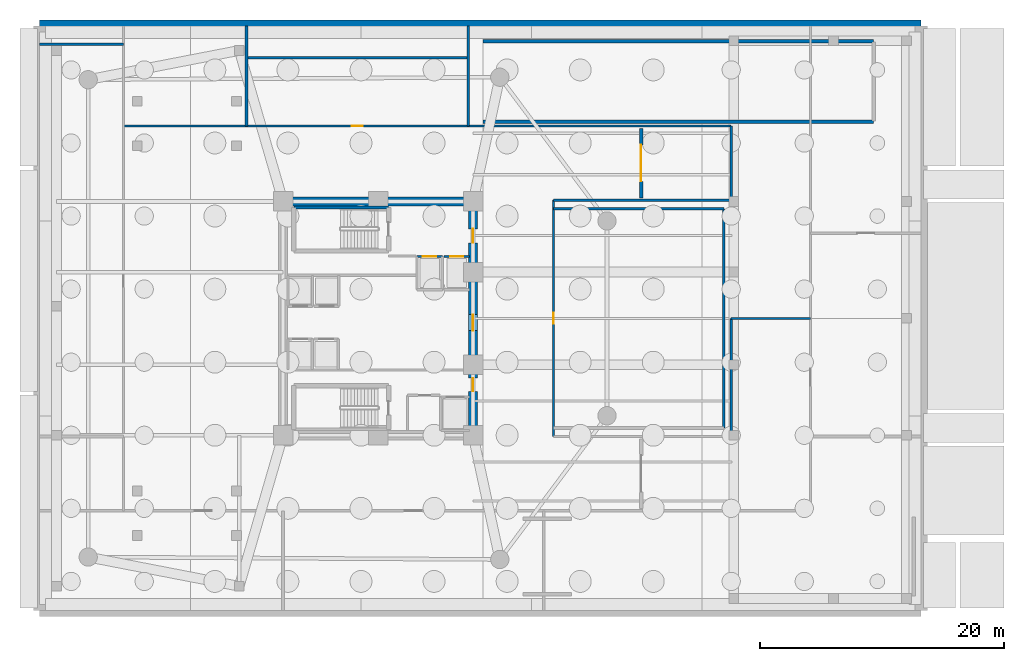
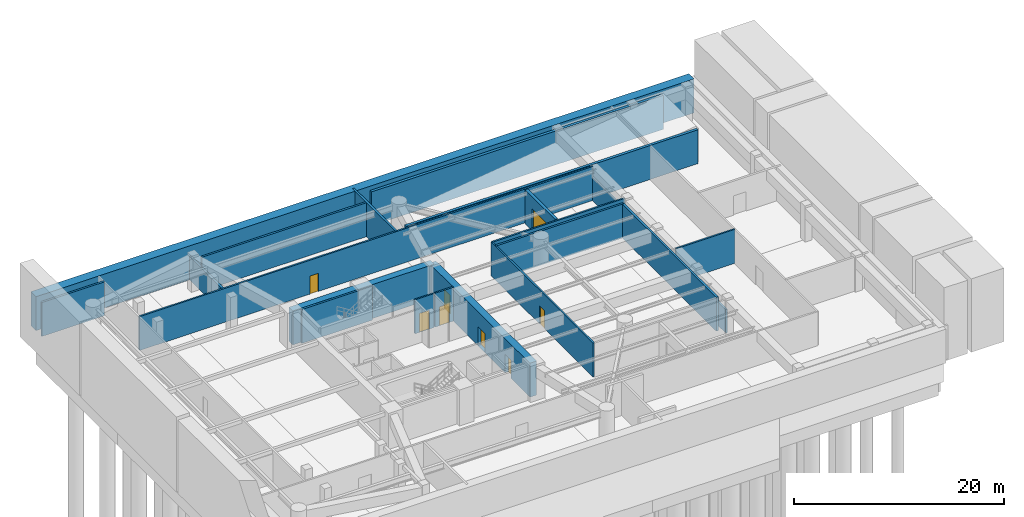
# One storey, part 5 of 8: 21 walls, 8 doors, 8 openings.
"""IFC4 building model written with IfcOpenShell, lengths in metres."""

from ifc_helpers import new_model, si_unit, direction, frame, frame_2d, origin, place, context, subcontext, project, spatial, rectangle, extrude, material, layer, layer_set, type_object, element, fill, save


model = new_model("IFC4")

# Units and contexts
model_context = context("Model", 3, precision=1e-05, world=origin(), true_north=direction((0.0, 1.0)))
body_context = subcontext(model_context, "Body", "Model", "MODEL_VIEW")
ifc_project = project(units=[si_unit("LENGTHUNIT", "METRE"), si_unit("AREAUNIT", "SQUARE_METRE"), si_unit("VOLUMEUNIT", "CUBIC_METRE"), si_unit("PLANEANGLEUNIT", "RADIAN"), si_unit("MASSUNIT", "GRAM", prefix="KILO")], contexts=[model_context])

# Site, building, storey
site_placement = place(None, origin())
site = spatial("IfcSite", under=ifc_project, at=site_placement, CompositionType="ELEMENT")
building_placement = place(site_placement, origin())
building = spatial("IfcBuilding", under=site, at=building_placement, Name="An Khanh Terracotta Commons", CompositionType="ELEMENT")
storey_placement = place(building_placement, frame((0.0, 0.0, -8.39990234375)))
storey = spatial("IfcBuildingStorey", under=building, at=storey_placement, Name="B02", CompositionType="ELEMENT", Elevation=-8.39990234375)

# Wall
ifc_material_1 = material(Name="Concrete C70/85", Category="concrete")
ifc_layer_1 = layer(ifc_material_1, 0.75, Name="Concrete C70/85")
ifc_layer_set_1 = layer_set([ifc_layer_1], Name="Concrete C70/85")
wall_type_1 = type_object("IfcWallType", Name="WALL-CORE-750", PredefinedType="SHEAR", material=ifc_layer_set_1)
wall_1_placement = place(storey_placement, frame((21.60009765625, 33.60009765625, 0.0), z_axis=(0.0, 0.0, 1.0), x_axis=(1.0, 0.0, 0.0)))
element("IfcWall", 1, at=wall_1_placement, inside=storey, type_object=wall_type_1, Name="B02 Core Wall CWALL-B02-N", PredefinedType="SHEAR", context=body_context, shape_type="SweptSolid", body=[
    extrude(rectangle(XDim=15.599853515625, YDim=0.75, at=frame_2d((7.7998046875, 0.0))), origin(), (0.0, 0.0, 1.0), 3.949951171875),
])

# Wall, openings, doors
wall_2_placement = place(storey_placement, frame((37.199951171875, 14.39990234375, 0.0), z_axis=(0.0, 0.0, 1.0), x_axis=(0.0, 1.0, 0.0)))
wall_2 = element("IfcWall", 2, at=wall_2_placement, inside=storey, type_object=wall_type_1, Name="B02 Core Wall CWALL-B02-E", PredefinedType="SHEAR", context=body_context, shape_type="SweptSolid", body=[
    extrude(rectangle(XDim=19.2001953125, YDim=0.75, at=frame_2d((9.60009765625, 0.0))), origin(), (0.0, 0.0, 1.0), 3.949951171875),
])
opening_1_placement = place(wall_2_placement, frame((15.800048828125, 0.0, 0.0)))
opening_1 = element("IfcOpeningElement", 3, at=opening_1_placement, cuts=wall_2, Name="Opening D-FFL", PredefinedType="OPENING", context=body_context, shape_type="SweptSolid", body=[
    extrude(rectangle(XDim=1.14990234375, YDim=2.14990234375, at=frame_2d((0.574951171875, 1.074951171875))), frame((0.0, 0.385009765625, 0.0), z_axis=(0.0, -1.0, 0.0), x_axis=(1.0, 0.0, 0.0)), (0.0, 0.0, 1.0), 0.77001953125),
])
opening_2_placement = place(wall_2_placement, frame((3.60009765625, 0.0, 0.0)))
opening_2 = element("IfcOpeningElement", 4, at=opening_2_placement, cuts=wall_2, Name="Opening D-ST", PredefinedType="OPENING", context=body_context, shape_type="SweptSolid", body=[
    extrude(rectangle(XDim=1.10009765625, YDim=2.14990234375, at=frame_2d((0.550048828125, 1.074951171875))), frame((0.0, 0.385009765625, 0.0), z_axis=(0.0, -1.0, 0.0), x_axis=(1.0, 0.0, 0.0)), (0.0, 0.0, 1.0), 0.77001953125),
])
opening_3_placement = place(wall_2_placement, frame((8.60009765625, 0.0, 0.0)))
opening_3 = element("IfcOpeningElement", 5, at=opening_3_placement, cuts=wall_2, Name="Opening D-COR", PredefinedType="OPENING", context=body_context, shape_type="SweptSolid", body=[
    extrude(rectangle(XDim=1.300048828125, YDim=2.199951171875, at=frame_2d((0.64990234375, 1.10009765625))), frame((0.0, 0.385009765625, 0.0), z_axis=(0.0, -1.0, 0.0), x_axis=(1.0, 0.0, 0.0)), (0.0, 0.0, 1.0), 0.77001953125),
])
ifc_material_2 = material(Name="Fire-Rated Glazed Steel Double Door", Category="steel")
door_type_1 = type_object("IfcDoorType", Name="DOOR-CORR-1300", OperationType="NOTDEFINED", PredefinedType="DOOR", material=ifc_material_2)
door_1_placement = place(opening_3_placement, origin())
door_1 = element("IfcDoor", 6, at=door_1_placement, inside=storey, type_object=door_type_1, Name="B02 Passenger Lift Lobby Double Door", OperationType="DOUBLE_DOOR_SINGLE_SWING", OverallHeight=2.199951171875, OverallWidth=1.300048828125, PredefinedType="DOOR", context=body_context, shape_type="SweptSolid", body=[
    extrude(rectangle(XDim=1.300048828125, YDim=2.199951171875, at=frame_2d((0.64990234375, 1.10009765625))), frame((0.0, 0.02490234375, 0.0), z_axis=(0.0, -1.0, 0.0), x_axis=(1.0, 0.0, 0.0)), (0.0, 0.0, 1.0), 0.050048828125),
])
fill(opening_3, door_1)
ifc_material_3 = material(Name="Fire-Rated Steel Leaf and Vision Panel", Category="steel")
door_type_2 = type_object("IfcDoorType", Name="DOOR-FFL-1150", OperationType="NOTDEFINED", PredefinedType="DOOR", material=ifc_material_3)
door_2_placement = place(opening_1_placement, origin())
door_2 = element("IfcDoor", 7, at=door_2_placement, inside=storey, type_object=door_type_2, Name="B02 Firefighting Lift Lobby Fire Door", OperationType="SINGLE_SWING_RIGHT", OverallHeight=2.14990234375, OverallWidth=1.14990234375, PredefinedType="DOOR", context=body_context, shape_type="SweptSolid", body=[
    extrude(rectangle(XDim=1.14990234375, YDim=2.14990234375, at=frame_2d((0.574951171875, 1.074951171875))), frame((0.0, 0.02490234375, 0.0), z_axis=(0.0, -1.0, 0.0), x_axis=(1.0, 0.0, 0.0)), (0.0, 0.0, 1.0), 0.050048828125),
])
fill(opening_1, door_2)
ifc_material_4 = material(Name="Fire-Rated Steel Leaf and Frame", Category="steel")
door_type_3 = type_object("IfcDoorType", Name="DOOR-STAIR-1100", OperationType="NOTDEFINED", PredefinedType="DOOR", material=ifc_material_4)
door_3_placement = place(opening_2_placement, origin())
door_3 = element("IfcDoor", 8, at=door_3_placement, inside=storey, type_object=door_type_3, Name="B02 South Stair Lobby Fire Door", OperationType="SINGLE_SWING_LEFT", OverallHeight=2.14990234375, OverallWidth=1.10009765625, PredefinedType="DOOR", context=body_context, shape_type="SweptSolid", body=[
    extrude(rectangle(XDim=1.10009765625, YDim=2.14990234375, at=frame_2d((0.550048828125, 1.074951171875))), frame((0.0, 0.02490234375, 0.0), z_axis=(0.0, -1.0, 0.0), x_axis=(1.0, 0.0, 0.0)), (0.0, 0.0, 1.0), 0.050048828125),
])
fill(opening_2, door_3)

# Wall, opening, door
ifc_material_5 = material(Name="Fire-Rated Gypsum Board on Steel Stud", Category="steel")
ifc_layer_2 = layer(ifc_material_5, 0.179931640625, Name="Fire-Rated Gypsum Board on Steel Stud")
ifc_layer_set_2 = layer_set([ifc_layer_2], Name="Fire-Rated Gypsum Board on Steel Stud")
wall_type_2 = type_object("IfcWallType", Name="WALL-CORR-180", PredefinedType="PARTITIONING", material=ifc_layer_set_2)
wall_3_placement = place(storey_placement, frame((32.60009765625, 29.080078125, 0.0), z_axis=(0.0, 0.0, 1.0), x_axis=(1.0, 0.0, 0.0)))
wall_3 = element("IfcWall", 9, at=wall_3_placement, inside=storey, type_object=wall_type_2, Name="B02 Core Wall LSH-B02-FFL-01-N", PredefinedType="PARTITIONING", context=body_context, shape_type="SweptSolid", body=[
    extrude(rectangle(XDim=2.079833984375, YDim=0.179931640625, at=frame_2d((1.0400390625, 0.0))), origin(), (0.0, 0.0, 1.0), 3.949951171875),
])
opening_4_placement = place(wall_3_placement, frame((0.489990234375, 0.0, 0.0)))
opening_4 = element("IfcOpeningElement", 10, at=opening_4_placement, cuts=wall_3, Name="Opening LD-FFL-01-B02", PredefinedType="OPENING", context=body_context, shape_type="SweptSolid", body=[
    extrude(rectangle(XDim=1.10009765625, YDim=2.199951171875, at=frame_2d((0.550048828125, 1.10009765625))), frame((0.0, 0.099853515625, 0.0), z_axis=(0.0, -1.0, 0.0), x_axis=(1.0, 0.0, 0.0)), (0.0, 0.0, 1.0), 0.199951171875),
])
ifc_material_6 = material(Name="Brushed Stainless Steel Fire Landing Door", Category="steel")
door_type_4 = type_object("IfcDoorType", Name="DOOR-LD-FFL-1100", OperationType="NOTDEFINED", PredefinedType="DOOR", material=ifc_material_6)
door_4_placement = place(opening_4_placement, origin())
door_4 = element("IfcDoor", 11, at=door_4_placement, inside=storey, type_object=door_type_4, Name="B02 Lift FFL-01 Sliding Landing Door", OperationType="DOUBLE_DOOR_SLIDING", OverallHeight=2.199951171875, OverallWidth=1.10009765625, PredefinedType="DOOR", context=body_context, shape_type="SweptSolid", body=[
    extrude(rectangle(XDim=1.10009765625, YDim=2.199951171875, at=frame_2d((0.550048828125, 1.10009765625))), frame((0.0, 0.02490234375, 0.0), z_axis=(0.0, -1.0, 0.0), x_axis=(1.0, 0.0, 0.0)), (0.0, 0.0, 1.0), 0.050048828125),
])
fill(opening_4, door_4)

wall_4_placement = place(storey_placement, frame((34.820068359375, 29.080078125, 0.0), z_axis=(0.0, 0.0, 1.0), x_axis=(1.0, 0.0, 0.0)))
wall_4 = element("IfcWall", 12, at=wall_4_placement, inside=storey, type_object=wall_type_2, Name="B02 Core Wall LSH-B02-FFL-02-N", PredefinedType="PARTITIONING", context=body_context, shape_type="SweptSolid", body=[
    extrude(rectangle(XDim=2.079833984375, YDim=0.179931640625, at=frame_2d((1.0400390625, 0.0))), origin(), (0.0, 0.0, 1.0), 3.949951171875),
])
opening_5_placement = place(wall_4_placement, frame((0.489990234375, 0.0, 0.0)))
opening_5 = element("IfcOpeningElement", 13, at=opening_5_placement, cuts=wall_4, Name="Opening LD-FFL-02-B02", PredefinedType="OPENING", context=body_context, shape_type="SweptSolid", body=[
    extrude(rectangle(XDim=1.10009765625, YDim=2.199951171875, at=frame_2d((0.550048828125, 1.10009765625))), frame((0.0, 0.099853515625, 0.0), z_axis=(0.0, -1.0, 0.0), x_axis=(1.0, 0.0, 0.0)), (0.0, 0.0, 1.0), 0.199951171875),
])
door_5_placement = place(opening_5_placement, origin())
door_5 = element("IfcDoor", 14, at=door_5_placement, inside=storey, type_object=door_type_4, Name="B02 Lift FFL-02 Sliding Landing Door", OperationType="DOUBLE_DOOR_SLIDING", OverallHeight=2.199951171875, OverallWidth=1.10009765625, PredefinedType="DOOR", context=body_context, shape_type="SweptSolid", body=[
    extrude(rectangle(XDim=1.10009765625, YDim=2.199951171875, at=frame_2d((0.550048828125, 1.10009765625))), frame((0.0, 0.02490234375, 0.0), z_axis=(0.0, -1.0, 0.0), x_axis=(1.0, 0.0, 0.0)), (0.0, 0.0, 1.0), 0.050048828125),
])
fill(opening_5, door_5)

# Walls
wall_5_placement = place(storey_placement, frame((58.39990234375, 24.0, 0.0), z_axis=(0.0, 0.0, 1.0), x_axis=(1.0, 0.0, 0.0)))
element("IfcWall", 15, at=wall_5_placement, inside=storey, type_object=wall_type_2, Name="B02 Interior Partition IW-B02-E006", PredefinedType="PARTITIONING", context=body_context, shape_type="SweptSolid", body=[
    extrude(rectangle(XDim=6.5, YDim=0.179931640625, at=frame_2d((3.25, 0.0))), origin(), (0.0, 0.0, 1.0), 3.949951171875),
])
wall_6_placement = place(storey_placement, frame((43.800048828125, 33.699951171875, 0.0), z_axis=(0.0, 0.0, 1.0), x_axis=(1.0, 0.0, 0.0)))
element("IfcWall", 16, at=wall_6_placement, inside=storey, type_object=wall_type_2, Name="B02 Interior Partition IW-B02-E009", PredefinedType="PARTITIONING", context=body_context, shape_type="SweptSolid", body=[
    extrude(rectangle(XDim=14.599853515625, YDim=0.179931640625, at=frame_2d((7.2998046875, 0.0))), origin(), (0.0, 0.0, 1.0), 3.949951171875),
])

# Wall, opening, door
wall_7_placement = place(storey_placement, frame((8.5, 39.800048828125, 0.0), z_axis=(0.0, 0.0, 1.0), x_axis=(1.0, 0.0, 0.0)))
wall_7 = element("IfcWall", 17, at=wall_7_placement, inside=storey, type_object=wall_type_2, Name="B02 Interior Partition IW-B02-E010", PredefinedType="PARTITIONING", context=body_context, shape_type="SweptSolid", body=[
    extrude(rectangle(XDim=49.89990234375, YDim=0.179931640625, at=frame_2d((24.949951171875, 0.0))), origin(), (0.0, 0.0, 1.0), 3.949951171875),
])
opening_6_placement = place(wall_7_placement, frame((18.739990234375, 0.0, 0.0)))
opening_6 = element("IfcOpeningElement", 18, at=opening_6_placement, cuts=wall_7, Name="Opening D-RM", PredefinedType="OPENING", context=body_context, shape_type="SweptSolid", body=[
    extrude(rectangle(XDim=0.919921875, YDim=2.10009765625, at=frame_2d((0.4599609375, 1.050048828125))), frame((0.0, 0.099853515625, 0.0), z_axis=(0.0, -1.0, 0.0), x_axis=(1.0, 0.0, 0.0)), (0.0, 0.0, 1.0), 0.199951171875),
])
ifc_material_7 = material(Name="Engineered Hardwood Timber Leaf", Category="wood")
door_type_5 = type_object("IfcDoorType", Name="DOOR-INT-920", OperationType="NOTDEFINED", PredefinedType="DOOR", material=ifc_material_7)
door_6_placement = place(opening_6_placement, origin())
door_6 = element("IfcDoor", 19, at=door_6_placement, inside=storey, type_object=door_type_5, Name="B02 PKN North Perpendicular Car Parking Zone Door", OperationType="SINGLE_SWING_RIGHT", OverallHeight=2.10009765625, OverallWidth=0.919921875, PredefinedType="DOOR", context=body_context, shape_type="SweptSolid", body=[
    extrude(rectangle(XDim=0.919921875, YDim=2.10009765625, at=frame_2d((0.4599609375, 1.050048828125))), frame((0.0, 0.02490234375, 0.0), z_axis=(0.0, -1.0, 0.0), x_axis=(1.0, 0.0, 0.0)), (0.0, 0.0, 1.0), 0.050048828125),
])
fill(opening_6, door_6)

wall_8_placement = place(storey_placement, frame((43.800048828125, 14.300048828125, 0.0), z_axis=(0.0, 0.0, 1.0), x_axis=(0.0, 1.0, 0.0)))
wall_8 = element("IfcWall", 20, at=wall_8_placement, inside=storey, type_object=wall_type_2, Name="B02 Interior Partition IW-B02-E018", PredefinedType="PARTITIONING", context=body_context, shape_type="SweptSolid", body=[
    extrude(rectangle(XDim=19.39990234375, YDim=0.179931640625, at=frame_2d((9.699951171875, 0.0))), origin(), (0.0, 0.0, 1.0), 3.949951171875),
])
opening_7_placement = place(wall_8_placement, frame((9.239990234375, 0.0, 0.0)))
opening_7 = element("IfcOpeningElement", 21, at=opening_7_placement, cuts=wall_8, Name="Opening D-RM", PredefinedType="OPENING", context=body_context, shape_type="SweptSolid", body=[
    extrude(rectangle(XDim=0.919921875, YDim=2.10009765625, at=frame_2d((0.4599609375, 1.050048828125))), frame((0.0, 0.099853515625, 0.0), z_axis=(0.0, -1.0, 0.0), x_axis=(1.0, 0.0, 0.0)), (0.0, 0.0, 1.0), 0.199951171875),
])
door_7_placement = place(opening_7_placement, origin())
door_7 = element("IfcDoor", 22, at=door_7_placement, inside=storey, type_object=door_type_5, Name="B02 PKA Accessible Car Parking Zone Door", OperationType="SINGLE_SWING_LEFT", OverallHeight=2.10009765625, OverallWidth=0.919921875, PredefinedType="DOOR", context=body_context, shape_type="SweptSolid", body=[
    extrude(rectangle(XDim=0.919921875, YDim=2.10009765625, at=frame_2d((0.4599609375, 1.050048828125))), frame((0.0, 0.02490234375, 0.0), z_axis=(0.0, -1.0, 0.0), x_axis=(1.0, 0.0, 0.0)), (0.0, 0.0, 1.0), 0.050048828125),
])
fill(opening_7, door_7)

# Walls
wall_9_placement = place(storey_placement, frame((58.39990234375, 14.300048828125, 0.0), z_axis=(0.0, 0.0, 1.0), x_axis=(0.0, 1.0, 0.0)))
element("IfcWall", 23, at=wall_9_placement, inside=storey, type_object=wall_type_2, Name="B02 Interior Partition IW-B02-E020", PredefinedType="PARTITIONING", context=body_context, shape_type="SweptSolid", body=[
    extrude(rectangle(XDim=9.699951171875, YDim=0.179931640625, at=frame_2d((4.85009765625, 0.0))), origin(), (0.0, 0.0, 1.0), 2.73193359375),
])
wall_10_placement = place(storey_placement, frame((58.39990234375, 33.699951171875, 0.0), z_axis=(0.0, 0.0, 1.0), x_axis=(0.0, 1.0, 0.0)))
element("IfcWall", 24, at=wall_10_placement, inside=storey, type_object=wall_type_2, Name="B02 Interior Partition IW-B02-E021", PredefinedType="PARTITIONING", context=body_context, shape_type="SweptSolid", body=[
    extrude(rectangle(XDim=6.10009765625, YDim=0.179931640625, at=frame_2d((3.050048828125, 0.0))), origin(), (0.0, 0.0, 1.0), 2.73193359375),
])
ifc_material_8 = material(Name="Concrete C50/60", Category="concrete")
ifc_layer_3 = layer(ifc_material_8, 1.0, Name="Concrete C50/60")
ifc_layer_set_3 = layer_set([ifc_layer_3], Name="Concrete C50/60")
wall_type_3 = type_object("IfcWallType", Name="WALL-DIAPH-1000", PredefinedType="SOLIDWALL", material=ifc_layer_set_3)
wall_11_placement = place(storey_placement, frame((74.0, 48.0, 0.0), z_axis=(0.0, 0.0, 1.0), x_axis=(-1.0, 0.0, 0.0)))
element("IfcWall", 25, at=wall_11_placement, inside=storey, type_object=wall_type_3, Name="B02 Perimeter Diaphragm Wall 3", PredefinedType="SOLIDWALL", context=body_context, shape_type="SweptSolid", body=[
    extrude(rectangle(XDim=72.39990234375, YDim=1.0, at=frame_2d((36.199951171875, 0.0))), origin(), (0.0, 0.0, 1.0), 3.949951171875),
])
ifc_material_9 = material(Name="Acoustic Double-Stud Gypsum and Mineral Wool")
ifc_layer_4 = layer(ifc_material_9, 0.219970703125, Name="Acoustic Double-Stud Gypsum and Mineral Wool")
ifc_layer_set_4 = layer_set([ifc_layer_4], Name="Acoustic Double-Stud Gypsum and Mineral Wool")
wall_type_4 = type_object("IfcWallType", Name="WALL-PARTY-220", PredefinedType="PARTITIONING", material=ifc_layer_set_4)
wall_12_placement = place(storey_placement, frame((22.47998046875, 33.110107421875, 0.0), z_axis=(0.0, 0.0, 1.0), x_axis=(1.0, 0.0, 0.0)))
element("IfcWall", 26, at=wall_12_placement, inside=storey, type_object=wall_type_4, Name="B02 Core Wall STW-B02-N-N", PredefinedType="PARTITIONING", context=body_context, shape_type="SweptSolid", body=[
    extrude(rectangle(XDim=7.7900390625, YDim=0.219970703125, at=frame_2d((3.89501953125, 0.0))), origin(), (0.0, 0.0, 1.0), 3.949951171875),
])
wall_13_placement = place(storey_placement, frame((43.800048828125, 33.0, 0.0), z_axis=(0.0, 0.0, 1.0), x_axis=(1.0, 0.0, 0.0)))
element("IfcWall", 27, at=wall_13_placement, inside=storey, type_object=wall_type_4, Name="B02 Interior Partition IW-B02-E008", PredefinedType="PARTITIONING", context=body_context, shape_type="SweptSolid", body=[
    extrude(rectangle(XDim=14.0, YDim=0.219970703125, at=frame_2d((7.0, 0.0))), origin(), (0.0, 0.0, 1.0), 3.949951171875),
])
wall_14_placement = place(storey_placement, frame((18.60009765625, 45.39990234375, 0.0), z_axis=(0.0, 0.0, 1.0), x_axis=(1.0, 0.0, 0.0)))
element("IfcWall", 28, at=wall_14_placement, inside=storey, type_object=wall_type_4, Name="B02 Interior Partition IW-B02-E011", PredefinedType="PARTITIONING", context=body_context, shape_type="SweptSolid", body=[
    extrude(rectangle(XDim=18.199951171875, YDim=0.219970703125, at=frame_2d((9.10009765625, 0.0))), origin(), (0.0, 0.0, 1.0), 3.949951171875),
])
wall_15_placement = place(storey_placement, frame((1.60009765625, 46.5, 0.0), z_axis=(0.0, 0.0, 1.0), x_axis=(1.0, 0.0, 0.0)))
element("IfcWall", 29, at=wall_15_placement, inside=storey, type_object=wall_type_4, Name="B02 Interior Partition IW-B02-E012", PredefinedType="PARTITIONING", context=body_context, shape_type="SweptSolid", body=[
    extrude(rectangle(XDim=6.89990234375, YDim=0.219970703125, at=frame_2d((3.449951171875, 0.0))), origin(), (0.0, 0.0, 1.0), 3.949951171875),
])
wall_16_placement = place(storey_placement, frame((18.60009765625, 39.800048828125, 0.0), z_axis=(0.0, 0.0, 1.0), x_axis=(0.0, 1.0, 0.0)))
element("IfcWall", 30, at=wall_16_placement, inside=storey, type_object=wall_type_4, Name="B02 Interior Partition IW-B02-E014", PredefinedType="PARTITIONING", context=body_context, shape_type="SweptSolid", body=[
    extrude(rectangle(XDim=8.199951171875, YDim=0.219970703125, at=frame_2d((4.10009765625, 0.0))), origin(), (0.0, 0.0, 1.0), 2.73193359375),
])
wall_17_placement = place(storey_placement, frame((36.800048828125, 39.800048828125, 0.0), z_axis=(0.0, 0.0, 1.0), x_axis=(0.0, 1.0, 0.0)))
element("IfcWall", 31, at=wall_17_placement, inside=storey, type_object=wall_type_4, Name="B02 Interior Partition IW-B02-E016", PredefinedType="PARTITIONING", context=body_context, shape_type="SweptSolid", body=[
    extrude(rectangle(XDim=8.199951171875, YDim=0.219970703125, at=frame_2d((4.10009765625, 0.0))), origin(), (0.0, 0.0, 1.0), 3.949951171875),
])
wall_18_placement = place(storey_placement, frame((57.800048828125, 15.0, 0.0), z_axis=(0.0, 0.0, 1.0), x_axis=(0.0, 1.0, 0.0)))
element("IfcWall", 32, at=wall_18_placement, inside=storey, type_object=wall_type_4, Name="B02 Interior Partition IW-B02-E019", PredefinedType="PARTITIONING", context=body_context, shape_type="SweptSolid", body=[
    extrude(rectangle(XDim=18.0, YDim=0.219970703125, at=frame_2d((9.0, 0.0))), origin(), (0.0, 0.0, 1.0), 3.949951171875),
])
ifc_material_10 = material(Name="Concrete C40/50", Category="concrete")
ifc_layer_5 = layer(ifc_material_10, 0.300048828125, Name="Concrete C40/50")
ifc_layer_set_5 = layer_set([ifc_layer_5], Name="Concrete C40/50")
wall_type_5 = type_object("IfcWallType", Name="WALL-RAMP-300", PredefinedType="SOLIDWALL", material=ifc_layer_set_5)
for number, where, z_axis, x_axis, name in (
    (33, (38.0, 40.14990234375, 0.0), (0.0, 0.0, 1.0), (1.0, 0.0, 0.0), "B02 Vehicle Ramp Flank Wall 1"),
    (34, (38.0, 46.75, 0.0), (0.0, 0.0, 1.0), (1.0, 0.0, 0.0), "B02 Vehicle Ramp Flank Wall 2"),
):
    element("IfcWall", number, at=place(storey_placement, frame(where, z_axis=z_axis, x_axis=x_axis)), inside=storey, type_object=wall_type_5, Name=name, PredefinedType="SOLIDWALL", context=body_context, shape_type="SweptSolid", body=[
        extrude(rectangle(XDim=32.10009765625, YDim=0.300048828125, at=frame_2d((16.050048828125, 0.0))), origin(), (0.0, 0.0, 1.0), 3.949951171875),
    ])

# Wall, opening, door
wall_19_placement = place(storey_placement, frame((51.0, 33.89990234375, 0.0), z_axis=(0.0, 0.0, 1.0), x_axis=(0.0, 1.0, 0.0)))
wall_19 = element("IfcWall", 35, at=wall_19_placement, inside=storey, type_object=wall_type_5, Name="B02 Car Park Fire Compartment Portal Wall 2", PredefinedType="SOLIDWALL", context=body_context, shape_type="SweptSolid", body=[
    extrude(rectangle(XDim=5.7001953125, YDim=0.300048828125, at=frame_2d((2.85009765625, 0.0))), origin(), (0.0, 0.0, 1.0), 3.949951171875),
])
opening_8_placement = place(wall_19_placement, frame((1.35009765625, 0.0, 0.0)))
opening_8 = element("IfcOpeningElement", 36, at=opening_8_placement, cuts=wall_19, Name="Opening VG-B02-2", PredefinedType="OPENING", context=body_context, shape_type="SweptSolid", body=[
    extrude(rectangle(XDim=3.0, YDim=2.550048828125, at=frame_2d((1.5, 1.27490234375))), frame((0.0, 0.159912109375, 0.0), z_axis=(0.0, -1.0, 0.0), x_axis=(1.0, 0.0, 0.0)), (0.0, 0.0, 1.0), 0.320068359375),
])
ifc_material_11 = material(Name="Galvanised Fire-Rated Steel Roller Shutter", Category="steel")
door_type_6 = type_object("IfcDoorType", Name="GATE-PLANT-3000", OperationType="NOTDEFINED", PredefinedType="GATE", material=ifc_material_11)
door_8_placement = place(opening_8_placement, origin())
door_8 = element("IfcDoor", 37, at=door_8_placement, inside=storey, type_object=door_type_6, Name="B02 Car Park Fire Compartment Roller Shutter 2", OperationType="ROLLINGUP", OverallHeight=2.550048828125, OverallWidth=3.0, PredefinedType="GATE", context=body_context, shape_type="SweptSolid", body=[
    extrude(rectangle(XDim=3.0, YDim=2.550048828125, at=frame_2d((1.5, 1.27490234375))), frame((0.0, 0.02490234375, 0.0), z_axis=(0.0, -1.0, 0.0), x_axis=(1.0, 0.0, 0.0)), (0.0, 0.0, 1.0), 0.050048828125),
])
fill(opening_8, door_8)

save(model, "model.ifc")
